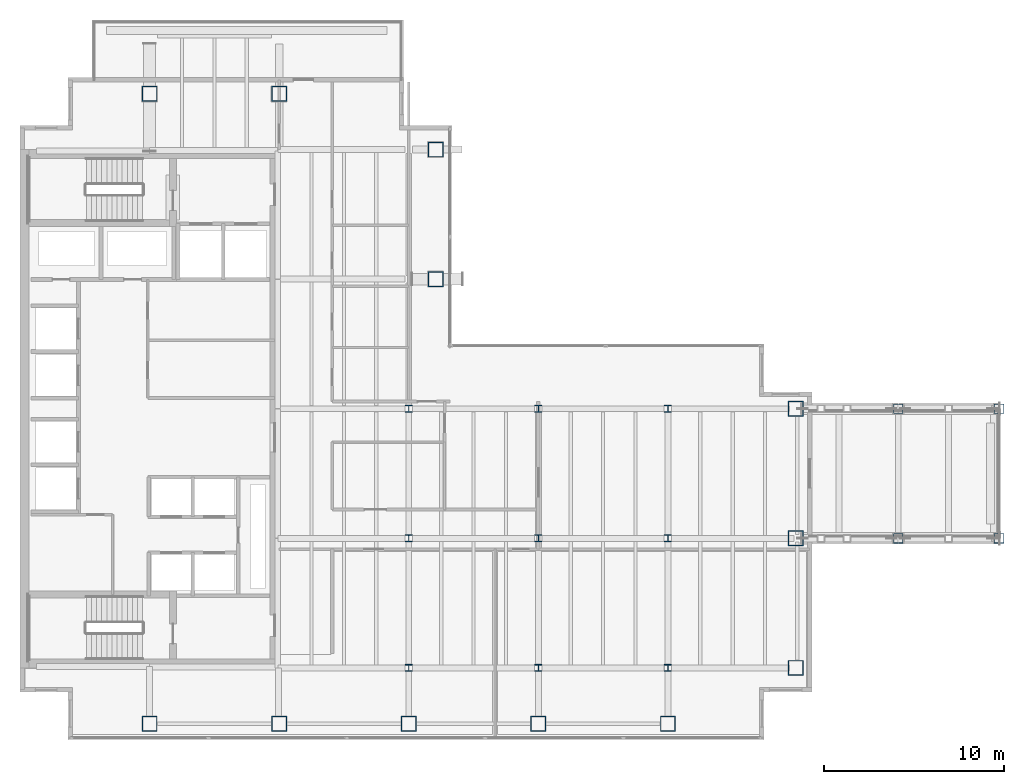
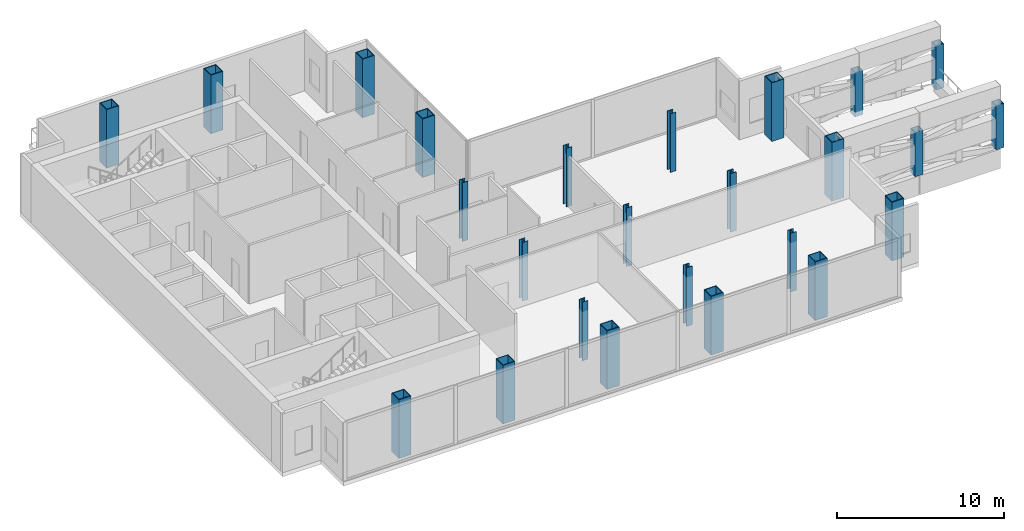
# One storey, part 1 of 20: 25 columns.
"""IFC4 building model written with IfcOpenShell, lengths in metres."""

import ifcopenshell
import ifcopenshell.guid

model = None  # the IFC model being written
_history = None  # IfcOwnerHistory: only IFC2X3 demands one
_inside = {}  # id of a spatial element -> (the spatial element, [elements in it])
_under = {}  # id of a project, library or spatial element -> (it, [spatial elements below it])
_declared = {}  # id of a project -> (the project, [libraries it declares])
_typed = {}  # id of a type object -> (the type object, [elements of that type])
_made_of = {}  # id of a material, layer set ... -> (it, [elements and type objects made of it])


def new_model(schema):
    """Start an empty IFC model of exactly this schema.

    Asked for "IFC4X3", IfcOpenShell would pick the latest addendum, in which some entities
    have other attributes; the version numbers below select the first issue.
    IFC2X3 requires an IfcOwnerHistory on every rooted entity: one is made here for all.
    """
    global model, _history
    if schema == "IFC4X3":
        model = ifcopenshell.file(schema_version=(4, 3, 0, 0))
    else:
        model = ifcopenshell.file(schema=schema)
    _inside.clear()
    _under.clear()
    _declared.clear()
    _typed.clear()
    _made_of.clear()
    _history = None
    if model.schema == "IFC2X3":
        org = make("IfcOrganization", Name="unknown")
        user = make(
            "IfcPersonAndOrganization",
            ThePerson=make("IfcPerson", FamilyName="unknown"),
            TheOrganization=org,
        )
        app = make(
            "IfcApplication",
            ApplicationDeveloper=org,
            Version="unknown",
            ApplicationFullName="unknown",
            ApplicationIdentifier="unknown",
        )
        _history = make(
            "IfcOwnerHistory",
            OwningUser=user,
            OwningApplication=app,
            ChangeAction="ADDED",
            CreationDate=0,
        )
    return model


def make(cls, **values):
    """One entity of the class cls with the attributes given. An attribute that is None is left unset."""
    return model.create_entity(
        cls, **{name: value for name, value in values.items() if value is not None}
    )


def rooted(cls, **values):
    """An entity with a GlobalId (a new one), such as an element, a storey or a relation."""
    return make(cls, GlobalId=ifcopenshell.guid.new(), OwnerHistory=_history, **values)


def si_unit(unit_type, name, prefix=None):
    """IfcSIUnit, for example si_unit("LENGTHUNIT", "METRE", prefix="MILLI")."""
    return make("IfcSIUnit", UnitType=unit_type, Prefix=prefix, Name=name)


def assignment(units):
    """IfcUnitAssignment: the units of a project."""
    return None if units is None else make("IfcUnitAssignment", Units=units)


def point(xyz):
    """IfcCartesianPoint."""
    return None if xyz is None else make("IfcCartesianPoint", Coordinates=xyz)


def direction(xyz):
    """IfcDirection."""
    return None if xyz is None else make("IfcDirection", DirectionRatios=xyz)


def frame(location, z_axis=None, x_axis=None):
    """IfcAxis2Placement3D, a coordinate frame: its origin and axes. An axis left out is left unset."""
    return make(
        "IfcAxis2Placement3D",
        Location=point(location),
        Axis=direction(z_axis),
        RefDirection=direction(x_axis),
    )


def frame_2d(location, x_axis=None):
    """IfcAxis2Placement2D, a coordinate frame in the plane: its origin and x axis."""
    return make(
        "IfcAxis2Placement2D", Location=point(location), RefDirection=direction(x_axis)
    )


def origin():
    """The frame at (0, 0, 0) with its axes left unset."""
    return frame((0.0, 0.0, 0.0))


def origin_2d():
    """The frame at (0, 0) in the plane with its x axis left unset."""
    return frame_2d((0.0, 0.0))


def place(relative_to, where):
    """IfcLocalPlacement: puts the frame where relative to a parent placement (None: the world)."""
    return make(
        "IfcLocalPlacement", PlacementRelTo=relative_to, RelativePlacement=where
    )


def context(
    kind, dimensions, precision=None, world=None, true_north=None, identifier=None
):
    """IfcGeometricRepresentationContext, for example the 3D "Model" context."""
    return make(
        "IfcGeometricRepresentationContext",
        ContextIdentifier=identifier,
        ContextType=kind,
        CoordinateSpaceDimension=dimensions,
        Precision=precision,
        WorldCoordinateSystem=world,
        TrueNorth=true_north,
    )


def subcontext(parent, identifier, kind, view, scale=None):
    """IfcGeometricRepresentationSubContext, for example "Body" below "Model"."""
    return make(
        "IfcGeometricRepresentationSubContext",
        ContextIdentifier=identifier,
        ContextType=kind,
        ParentContext=parent,
        TargetScale=scale,
        TargetView=view,
    )


def project(units=None, contexts=None):
    """IfcProject with its units and contexts."""
    return rooted(
        "IfcProject",
        Name="project",
        RepresentationContexts=contexts,
        UnitsInContext=assignment(units),
    )


def spatial(cls, under=None, at=None, **own):
    """A site, building, storey or space (cls), placed at a placement, below another one or the project."""
    s = rooted(cls, ObjectPlacement=at, **own)
    if under is not None:
        _under.setdefault(under.id(), (under, []))[1].append(s)
    return s


def profile(cls, at=None, kind="AREA", **sizes):
    """A parametric profile (cls). Its sizes go by their IFC names, for example OverallWidth=200.0."""
    return make(cls, ProfileType=kind, Position=at, **sizes)


def hollow_rectangle(**sizes):
    """IfcRectangleHollowProfileDef."""
    return profile("IfcRectangleHollowProfileDef", **sizes)


def i_section(**sizes):
    """IfcIShapeProfileDef."""
    return profile("IfcIShapeProfileDef", **sizes)


def extrude(swept, where, along, depth):
    """IfcExtrudedAreaSolid: the profile swept, set in the frame where, extruded along a direction by depth."""
    return make(
        "IfcExtrudedAreaSolid",
        SweptArea=swept,
        Position=where,
        ExtrudedDirection=direction(along),
        Depth=depth,
    )


def shape(context_of_items, identifier, shape_type, items):
    """IfcShapeRepresentation: the items that make up one representation, for example the "Body"."""
    return make(
        "IfcShapeRepresentation",
        ContextOfItems=context_of_items,
        RepresentationIdentifier=identifier,
        RepresentationType=shape_type,
        Items=items,
    )


def material(Name=None, Category=None):
    """IfcMaterial."""
    return make("IfcMaterial", Name=Name, Category=Category)


def material_profile(
    of_material, cross_section, Name=None, Category=None, Priority=None
):
    """IfcMaterialProfile: a cross section and its material."""
    return make(
        "IfcMaterialProfile",
        Name=Name,
        Material=of_material,
        Profile=cross_section,
        Priority=Priority,
        Category=Category,
    )


def profile_set(profiles, Name=None, composite=None):
    """IfcMaterialProfileSet."""
    return make(
        "IfcMaterialProfileSet",
        Name=Name,
        MaterialProfiles=profiles,
        CompositeProfile=composite,
    )


def made_of(thing, what):
    """Note that an element or type object is made of a material, layer set ...; save() writes the relation."""
    if what is not None:
        _made_of.setdefault(what.id(), (what, []))[1].append(thing)
    return thing


def type_object(cls, material=None, **own):
    """A type object (cls), such as IfcWallType, which elements share."""
    return made_of(rooted(cls, **own), material)


def element(
    cls,
    number,
    at=None,
    inside=None,
    cuts=None,
    type_object=None,
    material=None,
    context=None,
    identifier="Body",
    shape_type=None,
    held_by="IfcProductDefinitionShape",
    body=None,
    shapes=None,
    **own,
):
    """One element of the class cls, such as IfcWall. Its Tag is "e" and its number.

    at: its placement. inside: the storey or other place that contains it. cuts: it is an
    opening in that element (IfcRelVoidsElement). A single representation is given by context,
    identifier, shape_type and body (its items); several are given by shapes. held_by: the class
    of the entity that holds the representations. save() writes the other relations.
    """
    e = rooted(cls, Tag="e%d" % number, ObjectPlacement=at, **own)
    if body is not None:
        shapes = [shape(context, identifier, shape_type, body)]
    if shapes is not None:
        e.Representation = make(held_by, Representations=shapes)
    if inside is not None:
        _inside.setdefault(inside.id(), (inside, []))[1].append(e)
    if cuts is not None:
        rooted(
            "IfcRelVoidsElement", RelatingBuildingElement=cuts, RelatedOpeningElement=e
        )
    if type_object is not None:
        _typed.setdefault(type_object.id(), (type_object, []))[1].append(e)
    return made_of(e, material)


def aggregate(whole, parts):
    """IfcRelAggregates: a whole, such as a stair, and the parts it consists of."""
    return rooted("IfcRelAggregates", RelatingObject=whole, RelatedObjects=parts)


def save(model, path):
    """Write the relations noted so far, then the file.

    IfcRelAggregates (storeys below a building ...), IfcRelContainedInSpatialStructure (elements
    in a storey), IfcRelDefinesByType, IfcRelAssociatesMaterial and IfcRelDeclares: one each for
    every whole, place, type object, material and project.
    """
    for whole, parts in _under.values():
        aggregate(whole, parts)
    for where, things in _inside.values():
        rooted(
            "IfcRelContainedInSpatialStructure",
            RelatedElements=things,
            RelatingStructure=where,
        )
    for kind, things in _typed.values():
        rooted("IfcRelDefinesByType", RelatedObjects=things, RelatingType=kind)
    for what, things in _made_of.values():
        rooted("IfcRelAssociatesMaterial", RelatedObjects=things, RelatingMaterial=what)
    for by, libraries in _declared.values():
        rooted("IfcRelDeclares", RelatingContext=by, RelatedDefinitions=libraries)
    model.write(path)


model = new_model("IFC4")

# Units and contexts
model_context = context("Model", 3, precision=1e-05, world=origin(), true_north=direction((0.0, 1.0)))
body_context = subcontext(model_context, "Body", "Model", "MODEL_VIEW")
ifc_project = project(units=[si_unit("LENGTHUNIT", "METRE"), si_unit("AREAUNIT", "SQUARE_METRE"), si_unit("VOLUMEUNIT", "CUBIC_METRE"), si_unit("PLANEANGLEUNIT", "RADIAN"), si_unit("MASSUNIT", "GRAM", prefix="KILO")], contexts=[model_context])

# Site, building, storey
site_placement = place(None, origin())
site = spatial("IfcSite", under=ifc_project, at=site_placement, CompositionType="ELEMENT")
building_placement = place(site_placement, origin())
building = spatial("IfcBuilding", under=site, at=building_placement, Name="Cobrela Telecom Tower", CompositionType="ELEMENT")
storey_placement = place(building_placement, frame((0.0, 0.0, 168.699951171875)))
storey = spatial("IfcBuildingStorey", under=building, at=storey_placement, Name="L42", CompositionType="ELEMENT", Elevation=168.699951171875)

# Columns
ifc_material_1 = material(Name="Steel ASTM A992 Grade 50", Category="steel")
ifc_material_profile_1 = material_profile(ifc_material_1, i_section(OverallWidth=0.39892578125, OverallDepth=0.39404296875, WebThickness=0.022705078125, FlangeThickness=0.03662109375, FilletRadius=0.01806640625, at=origin_2d()), Name="W14X193")
ifc_profile_set_1 = profile_set([ifc_material_profile_1], Name="Steel ASTM A992 Grade 50")
column_type_1 = type_object("IfcColumnType", Name="COL-INT-06", PredefinedType="COLUMN", material=ifc_profile_set_1)
for number, where, z_axis, x_axis, name in (
    (1, (21.60009765625, 7.199951171875, 0.0), (0.0, 0.0, 1.0), (1.0, 0.0, 0.0), "L42 Interior Column 06"),
    (2, (21.60009765625, 14.39990234375, 0.0), (0.0, 0.0, 1.0), (1.0, 0.0, 0.0), "L42 Interior Column 07"),
    (3, (21.60009765625, 21.60009765625, 0.0), (0.0, 0.0, 1.0), (1.0, 0.0, 0.0), "L42 Interior Column 08"),
    (4, (28.800048828125, 7.199951171875, 0.0), (0.0, 0.0, 1.0), (1.0, 0.0, 0.0), "L42 Interior Column 12"),
    (5, (28.800048828125, 14.39990234375, 0.0), (0.0, 0.0, 1.0), (1.0, 0.0, 0.0), "L42 Interior Column 13"),
    (6, (28.800048828125, 21.60009765625, 0.0), (0.0, 0.0, 1.0), (1.0, 0.0, 0.0), "L42 Interior Column 14"),
    (7, (36.0, 7.199951171875, 0.0), (0.0, 0.0, 1.0), (1.0, 0.0, 0.0), "L42 Interior Column 16"),
    (8, (36.0, 14.39990234375, 0.0), (0.0, 0.0, 1.0), (1.0, 0.0, 0.0), "L42 Interior Column 17"),
    (9, (36.0, 21.60009765625, 0.0), (0.0, 0.0, 1.0), (1.0, 0.0, 0.0), "L42 Interior Column 18"),
):
    element("IfcColumn", number, at=place(storey_placement, frame(where, z_axis=z_axis, x_axis=x_axis)), inside=storey, type_object=column_type_1, Name=name, PredefinedType="COLUMN", context=body_context, shape_type="SweptSolid", body=[
        extrude(i_section(OverallWidth=0.39892578125, OverallDepth=0.39404296875, WebThickness=0.022705078125, FlangeThickness=0.03662109375, FilletRadius=0.01806640625, at=origin_2d()), origin(), (0.0, 0.0, 1.0), 4.2900390625),
    ])
ifc_material_2 = material(Name="Steel ASTM A572 Grade 50", Category="steel")
ifc_material_profile_2 = material_profile(ifc_material_2, hollow_rectangle(XDim=0.85009765625, YDim=0.85009765625, WallThickness=0.050048828125, at=origin_2d()), Name="BOX 850x850x50")
ifc_profile_set_2 = profile_set([ifc_material_profile_2], Name="Steel ASTM A572 Grade 50")
column_type_2 = type_object("IfcColumnType", Name="COL-MEGA-06", PredefinedType="COLUMN", material=ifc_profile_set_2)
for number, where, z_axis, x_axis, name in (
    (10, (7.199951171875, 4.10009765625, 0.0), (0.0, 0.0, 1.0), (1.0, 0.0, 0.0), "L42 Perimeter Mega-Column 01"),
    (11, (7.199951171875, 39.10009765625, 0.0), (0.0, 0.0, 1.0), (1.0, 0.0, 0.0), "L42 Perimeter Mega-Column 02"),
    (12, (14.39990234375, 4.10009765625, 0.0), (0.0, 0.0, 1.0), (1.0, 0.0, 0.0), "L42 Perimeter Mega-Column 03"),
    (13, (14.39990234375, 39.10009765625, 0.0), (0.0, 0.0, 1.0), (1.0, 0.0, 0.0), "L42 Perimeter Mega-Column 04"),
    (14, (21.60009765625, 4.10009765625, 0.0), (0.0, 0.0, 1.0), (1.0, 0.0, 0.0), "L42 Perimeter Mega-Column 05"),
    (15, (23.10009765625, 28.800048828125, 0.0), (0.0, 0.0, 1.0), (1.0, 0.0, 0.0), "L42 Perimeter Mega-Column 09"),
    (16, (23.10009765625, 36.0, 0.0), (0.0, 0.0, 1.0), (1.0, 0.0, 0.0), "L42 Perimeter Mega-Column 10"),
    (17, (28.800048828125, 4.10009765625, 0.0), (0.0, 0.0, 1.0), (1.0, 0.0, 0.0), "L42 Perimeter Mega-Column 11"),
    (18, (36.0, 4.10009765625, 0.0), (0.0, 0.0, 1.0), (1.0, 0.0, 0.0), "L42 Perimeter Mega-Column 15"),
    (19, (43.10009765625, 7.199951171875, 0.0), (0.0, 0.0, 1.0), (1.0, 0.0, 0.0), "L42 Perimeter Mega-Column 19"),
    (20, (43.10009765625, 14.39990234375, 0.0), (0.0, 0.0, 1.0), (1.0, 0.0, 0.0), "L42 Perimeter Mega-Column 20"),
    (21, (43.10009765625, 21.60009765625, 0.0), (0.0, 0.0, 1.0), (1.0, 0.0, 0.0), "L42 Perimeter Mega-Column 21"),
):
    element("IfcColumn", number, at=place(storey_placement, frame(where, z_axis=z_axis, x_axis=x_axis)), inside=storey, type_object=column_type_2, Name=name, PredefinedType="COLUMN", context=body_context, shape_type="SweptSolid", body=[
        extrude(hollow_rectangle(XDim=0.85009765625, YDim=0.85009765625, WallThickness=0.050048828125, at=origin_2d()), origin(), (0.0, 0.0, 1.0), 4.2900390625),
    ])
ifc_material_profile_3 = material_profile(ifc_material_2, hollow_rectangle(XDim=0.550048828125, YDim=0.550048828125, WallThickness=0.034912109375, at=origin_2d()), Name="BOX 550x550x35")
ifc_profile_set_3 = profile_set([ifc_material_profile_3], Name="Steel ASTM A572 Grade 50")
column_type_3 = type_object("IfcColumnType", Name="COL-SP-POST", PredefinedType="COLUMN", material=ifc_profile_set_3)
for number, where, z_axis, x_axis, name in (
    (22, (48.800048828125, 14.39990234375, -0.344970703125), (0.0, 0.0, 1.0), (1.0, 0.0, 0.0), "L42 Sky Pool Outboard Truss Column Post 1A"),
    (23, (54.39990234375, 14.39990234375, -0.344970703125), (0.0, 0.0, 1.0), (1.0, 0.0, 0.0), "L42 Sky Pool Outboard Truss Column Post 1B"),
    (24, (48.800048828125, 21.60009765625, -0.344970703125), (0.0, 0.0, 1.0), (1.0, 0.0, 0.0), "L42 Sky Pool Outboard Truss Column Post 2A"),
    (25, (54.39990234375, 21.60009765625, -0.344970703125), (0.0, 0.0, 1.0), (1.0, 0.0, 0.0), "L42 Sky Pool Outboard Truss Column Post 2B"),
):
    element("IfcColumn", number, at=place(storey_placement, frame(where, z_axis=z_axis, x_axis=x_axis)), inside=storey, type_object=column_type_3, Name=name, PredefinedType="COLUMN", context=body_context, shape_type="SweptSolid", body=[
        extrude(hollow_rectangle(XDim=0.550048828125, YDim=0.550048828125, WallThickness=0.034912109375, at=origin_2d()), origin(), (0.0, 0.0, 1.0), 3.22998046875),
    ])

save(model, "model.ifc")
